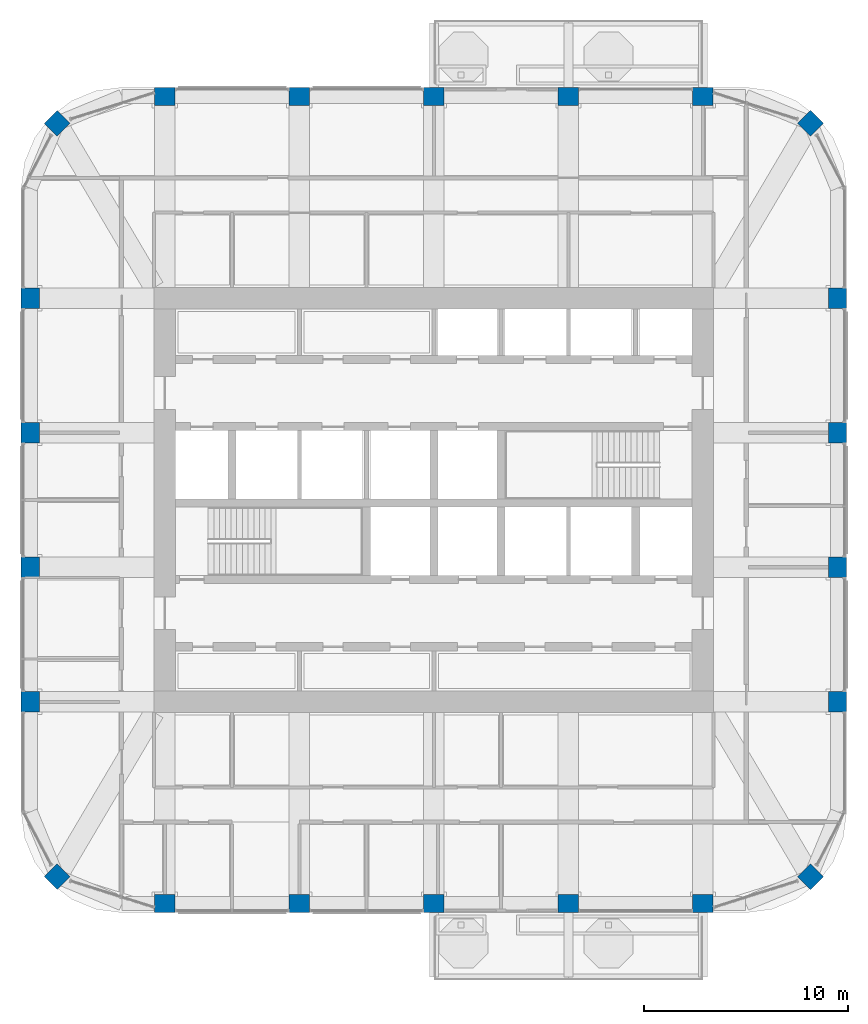
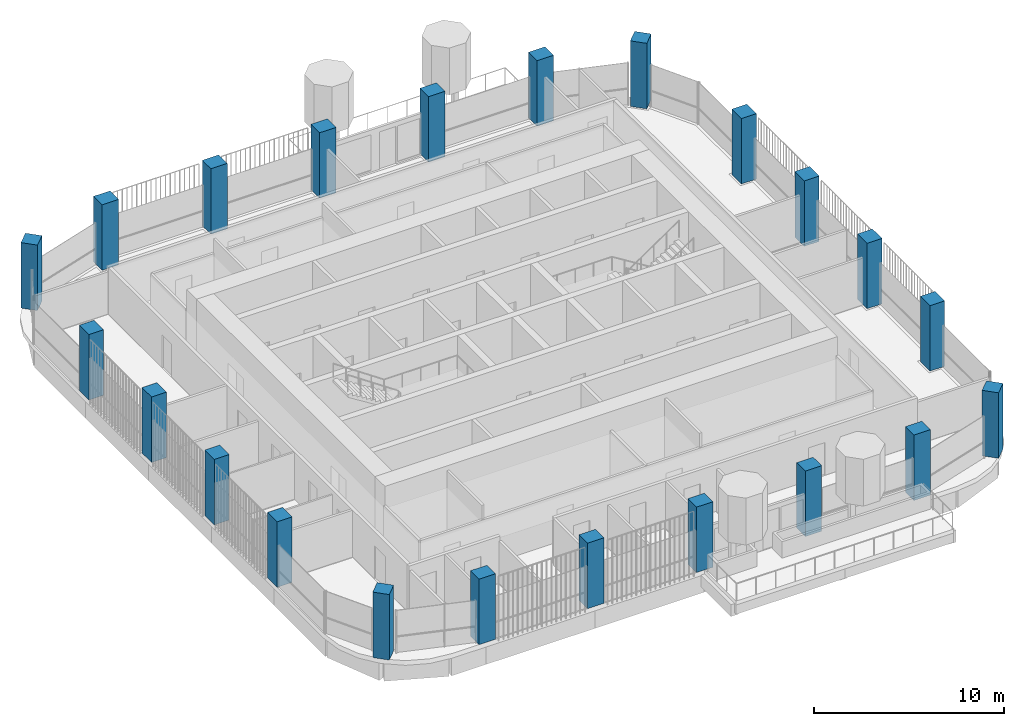
# One storey, part 1 of 21: 22 columns.
"""IFC4 building model written with IfcOpenShell, lengths in metres."""

from ifc_helpers import new_model, si_unit, direction, frame, origin, origin_2d, place, context, subcontext, project, spatial, rectangle, extrude, material, material_profile, profile_set, type_object, element, save


model = new_model("IFC4")

# Units and contexts
model_context = context("Model", 3, precision=1e-05, world=origin(), true_north=direction((0.0, 1.0)))
body_context = subcontext(model_context, "Body", "Model", "MODEL_VIEW")
ifc_project = project(units=[si_unit("LENGTHUNIT", "METRE"), si_unit("AREAUNIT", "SQUARE_METRE"), si_unit("VOLUMEUNIT", "CUBIC_METRE"), si_unit("PLANEANGLEUNIT", "RADIAN"), si_unit("MASSUNIT", "GRAM", prefix="KILO")], contexts=[model_context])

# Site, building, storey
site_placement = place(None, origin())
site = spatial("IfcSite", under=ifc_project, at=site_placement, CompositionType="ELEMENT")
building_placement = place(site_placement, origin())
building = spatial("IfcBuilding", under=site, at=building_placement, Name="Cobogo Forest Laboratory Tower", CompositionType="ELEMENT")
storey_placement = place(building_placement, frame((0.0, 0.0, 258.60009765625)))
storey = spatial("IfcBuildingStorey", under=building, at=storey_placement, Name="L59", CompositionType="ELEMENT", Elevation=258.60009765625)

# Columns
ifc_material = material(Name="Concrete HA-50 (C50/60)", Category="concrete")
ifc_material_profile_1 = material_profile(ifc_material, rectangle(XDim=1.0, YDim=0.89990234375, at=origin_2d()), Name="RC 900x1000")
ifc_profile_set_1 = profile_set([ifc_material_profile_1], Name="Concrete HA-50 (C50/60)")
column_type_1 = type_object("IfcColumnType", Name="Blade column 900x1000", PredefinedType="COLUMN", material=ifc_profile_set_1)
for number, where, z_axis, x_axis, name in (
    (1, (13.199951171875, 3.300048828125, 0.0), (0.0, 0.0, 1.0), (1.0, 0.0, 0.0), "Column 3-A.1 L59"),
    (2, (19.800048828125, 3.300048828125, 0.0), (0.0, 0.0, 1.0), (1.0, 0.0, 0.0), "Column 4-A.1 L59"),
    (3, (26.39990234375, 3.300048828125, 0.0), (0.0, 0.0, 1.0), (1.0, 0.0, 0.0), "Column 5-A.1 L59"),
    (4, (33.0, 3.300048828125, 0.0), (0.0, 0.0, 1.0), (1.0, 0.0, 0.0), "Column 6-A.1 L59"),
    (5, (39.60009765625, 3.300048828125, 0.0), (0.0, 0.0, 1.0), (1.0, 0.0, 0.0), "Column 7-A.1 L59"),
    (6, (6.60009765625, 13.199951171875, 0.0), (0.0, 0.0, 1.0), (0.0, 1.0, 0.0), "Column 2-C L59"),
    (7, (46.199951171875, 13.199951171875, 0.0), (0.0, 0.0, 1.0), (0.0, 1.0, 0.0), "Column 8-C L59"),
    (8, (6.60009765625, 19.800048828125, 0.0), (0.0, 0.0, 1.0), (0.0, 1.0, 0.0), "Column 2-D L59"),
    (9, (46.199951171875, 19.800048828125, 0.0), (0.0, 0.0, 1.0), (0.0, 1.0, 0.0), "Column 8-D L59"),
    (10, (6.60009765625, 26.39990234375, 0.0), (0.0, 0.0, 1.0), (0.0, 1.0, 0.0), "Column 2-E L59"),
    (11, (46.199951171875, 26.39990234375, 0.0), (0.0, 0.0, 1.0), (0.0, 1.0, 0.0), "Column 8-E L59"),
    (12, (6.60009765625, 33.0, 0.0), (0.0, 0.0, 1.0), (0.0, 1.0, 0.0), "Column 2-F L59"),
    (13, (46.199951171875, 33.0, 0.0), (0.0, 0.0, 1.0), (0.0, 1.0, 0.0), "Column 8-F L59"),
    (14, (13.199951171875, 42.89990234375, 0.0), (0.0, 0.0, 1.0), (1.0, 0.0, 0.0), "Column 3-G.1 L59"),
    (15, (19.800048828125, 42.89990234375, 0.0), (0.0, 0.0, 1.0), (1.0, 0.0, 0.0), "Column 4-G.1 L59"),
    (16, (26.39990234375, 42.89990234375, 0.0), (0.0, 0.0, 1.0), (1.0, 0.0, 0.0), "Column 5-G.1 L59"),
    (17, (33.0, 42.89990234375, 0.0), (0.0, 0.0, 1.0), (1.0, 0.0, 0.0), "Column 6-G.1 L59"),
    (18, (39.60009765625, 42.89990234375, 0.0), (0.0, 0.0, 1.0), (1.0, 0.0, 0.0), "Column 7-G.1 L59"),
):
    element("IfcColumn", number, at=place(storey_placement, frame(where, z_axis=z_axis, x_axis=x_axis)), inside=storey, type_object=column_type_1, Name=name, PredefinedType="COLUMN", context=body_context, shape_type="SweptSolid", body=[
        extrude(rectangle(XDim=1.0, YDim=0.89990234375, at=origin_2d()), origin(), (0.0, 0.0, 1.0), 4.199951171875),
    ])
ifc_material_profile_2 = material_profile(ifc_material, rectangle(XDim=0.89990234375, YDim=0.89990234375, at=origin_2d()), Name="RC 900x900")
ifc_profile_set_2 = profile_set([ifc_material_profile_2], Name="Concrete HA-50 (C50/60)")
column_type_2 = type_object("IfcColumnType", Name="Column 900x900", PredefinedType="COLUMN", material=ifc_profile_set_2)
for number, where, z_axis, x_axis, name in (
    (19, (7.91796875, 4.617919921875, 0.0), (0.0, 0.0, 1.0), (0.707106781187, 0.707106781187, 0.0), "Column CNR-SW L59"),
    (20, (44.882080078125, 4.617919921875, 0.0), (0.0, 0.0, 1.0), (0.707106781187, 0.707106781187, 0.0), "Column CNR-SE L59"),
    (21, (7.91796875, 41.58203125, 0.0), (0.0, 0.0, 1.0), (0.707106781187, 0.707106781187, 0.0), "Column CNR-NW L59"),
    (22, (44.882080078125, 41.58203125, 0.0), (0.0, 0.0, 1.0), (0.707106781187, 0.707106781187, 0.0), "Column CNR-NE L59"),
):
    element("IfcColumn", number, at=place(storey_placement, frame(where, z_axis=z_axis, x_axis=x_axis)), inside=storey, type_object=column_type_2, Name=name, PredefinedType="COLUMN", context=body_context, shape_type="SweptSolid", body=[
        extrude(rectangle(XDim=0.89990234375, YDim=0.89990234375, at=origin_2d()), origin(), (0.0, 0.0, 1.0), 4.199951171875),
    ])

save(model, "model.ifc")
